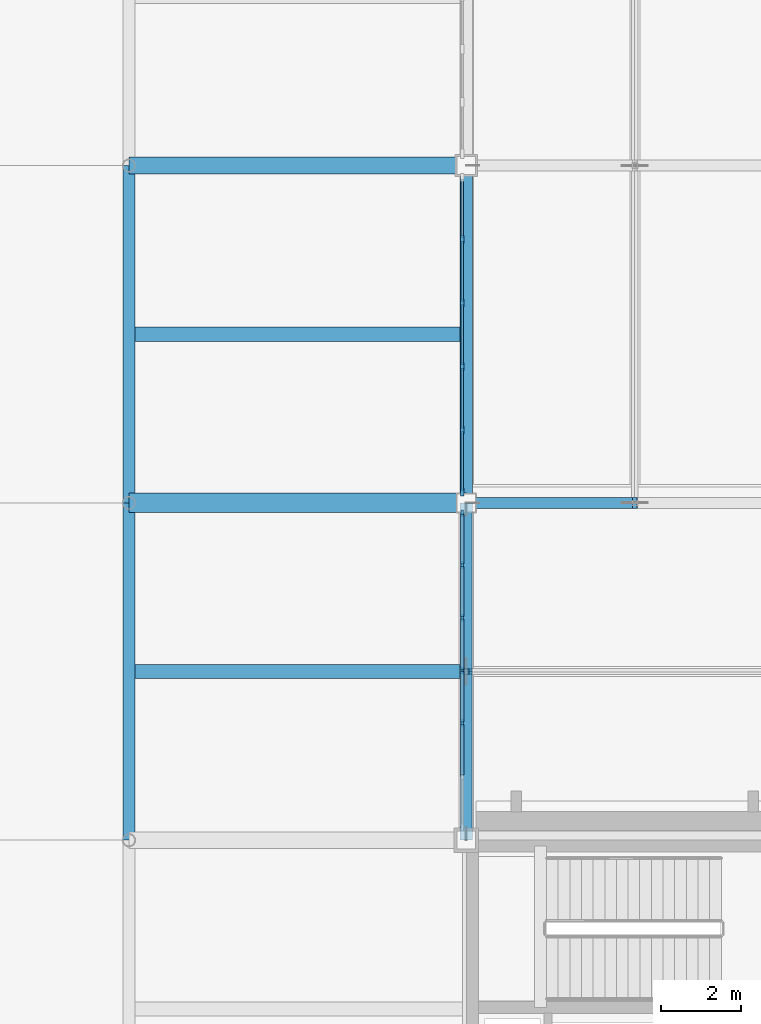
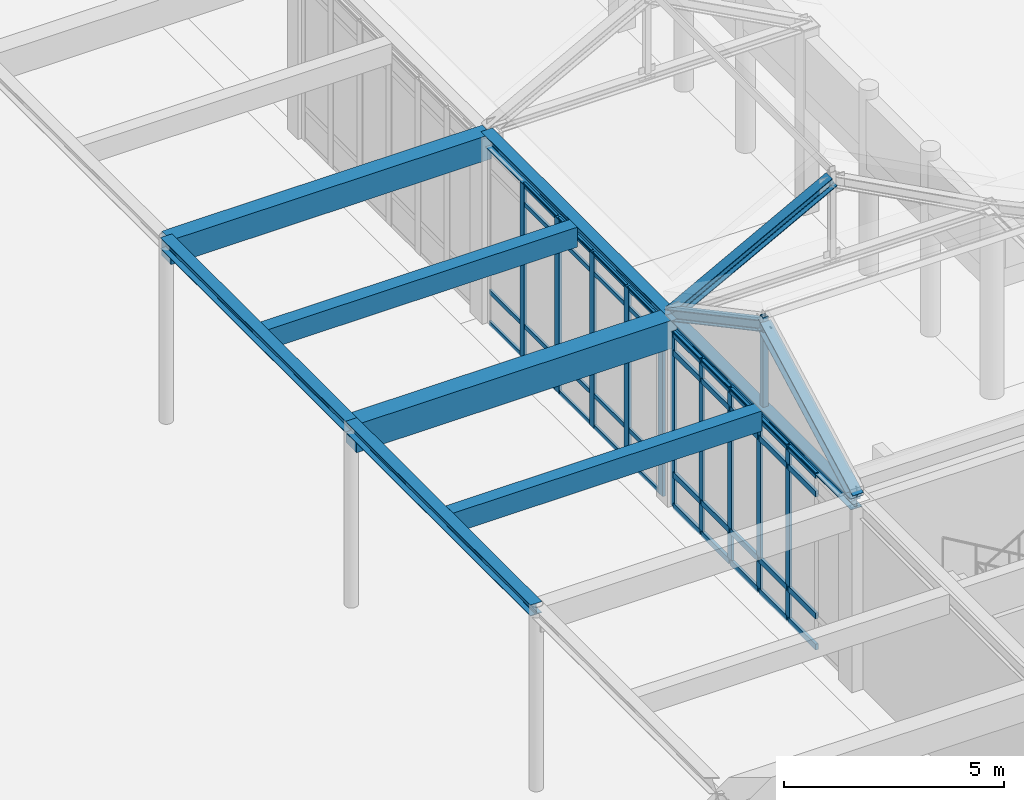
# One storey, part 38 of 143: 52 members, 8 beams, 2 elements without a shape of their own.
"""IFC4 building model written with IfcOpenShell, lengths in metres."""

from ifc_helpers import new_model, si_unit, direction, frame, origin, origin_2d, place, context, subcontext, project, spatial, rectangle, hollow_rectangle, i_section, extrude, material, layer, layer_set, material_profile, profile_set, type_object, element, aggregate, save


model = new_model("IFC4")

# Units and contexts
model_context = context("Model", 3, precision=1e-05, world=origin(), true_north=direction((0.0, 1.0)))
body_context = subcontext(model_context, "Body", "Model", "MODEL_VIEW")
ifc_project = project(units=[si_unit("LENGTHUNIT", "METRE"), si_unit("AREAUNIT", "SQUARE_METRE"), si_unit("VOLUMEUNIT", "CUBIC_METRE"), si_unit("PLANEANGLEUNIT", "RADIAN"), si_unit("MASSUNIT", "GRAM", prefix="KILO")], contexts=[model_context])

# Site, building, storey
site_placement = place(None, origin())
site = spatial("IfcSite", under=ifc_project, at=site_placement, CompositionType="ELEMENT")
building_placement = place(site_placement, origin())
building = spatial("IfcBuilding", under=site, at=building_placement, Name="Kveldsbrygga Polytechnic", CompositionType="ELEMENT")
storey_placement = place(building_placement, origin())
storey = spatial("IfcBuildingStorey", under=building, at=storey_placement, Name="L00", CompositionType="ELEMENT", Elevation=0.0)

# Beams
ifc_material_1 = material(Name="Concrete C35/45", Category="concrete")
ifc_material_profile_1 = material_profile(ifc_material_1, rectangle(XDim=0.419921875, YDim=0.679931640625, at=origin_2d()), Name="RC 420x680")
ifc_profile_set_1 = profile_set([ifc_material_profile_1], Name="Concrete C35/45")
beam_type_1 = type_object("IfcBeamType", Name="BM-RC-420x680", PredefinedType="BEAM", material=ifc_profile_set_1)
beam_1_placement = place(storey_placement, frame((67.199951171875, 42.0, 4.800048828125), z_axis=(1.0, 0.0, 0.0), x_axis=(0.0, 1.0, 0.0)))
element("IfcBeam", 1, at=beam_1_placement, inside=storey, type_object=beam_type_1, Name="Primary Beam BMX-L00-08to09-05", PredefinedType="BEAM", context=body_context, shape_type="SweptSolid", body=[
    extrude(rectangle(XDim=0.419921875, YDim=0.679931640625, at=origin_2d()), origin(), (0.0, 0.0, 1.0), 8.400146484375),
])
ifc_material_profile_2 = material_profile(ifc_material_1, rectangle(XDim=0.47998046875, YDim=0.780029296875, at=origin_2d()), Name="RC 480x780")
ifc_profile_set_2 = profile_set([ifc_material_profile_2], Name="Concrete C35/45")
beam_type_2 = type_object("IfcBeamType", Name="BM-RC-480x780", PredefinedType="BEAM", material=ifc_profile_set_2)
beam_2_placement = place(storey_placement, frame((67.199951171875, 33.60009765625, 4.75), z_axis=(1.0, 0.0, 0.0), x_axis=(0.0, 1.0, 0.0)))
element("IfcBeam", 2, at=beam_2_placement, inside=storey, type_object=beam_type_2, Name="Primary Beam BMX-L00-08to09-04", PredefinedType="BEAM", context=body_context, shape_type="SweptSolid", body=[
    extrude(rectangle(XDim=0.47998046875, YDim=0.780029296875, at=origin_2d()), origin(), (0.0, 0.0, 1.0), 8.400146484375),
])
ifc_material_2 = material(Name="Steel S355", Category="steel")
ifc_material_profile_3 = material_profile(ifc_material_2, i_section(OverallWidth=0.300048828125, OverallDepth=0.31005859375, WebThickness=0.009033203125, FlangeThickness=0.015380859375, FilletRadius=0.027099609375, at=origin_2d()), Name="HEA 320")
ifc_profile_set_3 = profile_set([ifc_material_profile_3], Name="Steel S355")
beam_type_3 = type_object("IfcBeamType", Name="BM-STL-HEA320", PredefinedType="BEAM", material=ifc_profile_set_3)
beam_3_placement = place(storey_placement, frame((67.199951171875, 25.199951171875, 4.985107421875), z_axis=(0.0, 1.0, 0.0), x_axis=(-1.0, 0.0, 0.0)))
element("IfcBeam", 3, at=beam_3_placement, inside=storey, type_object=beam_type_3, Name="Primary Beam BMY-L00-08-03to04", PredefinedType="BEAM", context=body_context, shape_type="SweptSolid", body=[
    extrude(i_section(OverallWidth=0.300048828125, OverallDepth=0.31005859375, WebThickness=0.009033203125, FlangeThickness=0.015380859375, FilletRadius=0.027099609375, at=origin_2d()), origin(), (0.0, 0.0, 1.0), 8.400146484375),
])
beam_4_placement = place(storey_placement, frame((67.199951171875, 33.60009765625, 4.985107421875), z_axis=(0.0, 1.0, 0.0), x_axis=(-1.0, 0.0, 0.0)))
element("IfcBeam", 4, at=beam_4_placement, inside=storey, type_object=beam_type_3, Name="Primary Beam BMY-L00-08-04to05", PredefinedType="BEAM", context=body_context, shape_type="SweptSolid", body=[
    extrude(i_section(OverallWidth=0.300048828125, OverallDepth=0.31005859375, WebThickness=0.009033203125, FlangeThickness=0.015380859375, FilletRadius=0.027099609375, at=origin_2d()), origin(), (0.0, 0.0, 1.0), 8.39990234375),
])
beam_5_placement = place(storey_placement, frame((75.60009765625, 25.199951171875, 4.985107421875), z_axis=(0.0, 1.0, 0.0), x_axis=(-1.0, 0.0, 0.0)))
element("IfcBeam", 5, at=beam_5_placement, inside=storey, type_object=beam_type_3, Name="Primary Beam BMY-L00-09-03to04", PredefinedType="BEAM", context=body_context, shape_type="SweptSolid", body=[
    extrude(i_section(OverallWidth=0.300048828125, OverallDepth=0.31005859375, WebThickness=0.009033203125, FlangeThickness=0.015380859375, FilletRadius=0.027099609375, at=origin_2d()), origin(), (0.0, 0.0, 1.0), 8.400146484375),
])
beam_6_placement = place(storey_placement, frame((75.60009765625, 33.60009765625, 4.985107421875), z_axis=(0.0, 1.0, 0.0), x_axis=(-1.0, 0.0, 0.0)))
element("IfcBeam", 6, at=beam_6_placement, inside=storey, type_object=beam_type_3, Name="Primary Beam BMY-L00-09-04to05", PredefinedType="BEAM", context=body_context, shape_type="SweptSolid", body=[
    extrude(i_section(OverallWidth=0.300048828125, OverallDepth=0.31005859375, WebThickness=0.009033203125, FlangeThickness=0.015380859375, FilletRadius=0.027099609375, at=origin_2d()), origin(), (0.0, 0.0, 1.0), 8.39990234375),
])

# Curtain wall, members
ifc_material_3 = material(Name="Anodised aluminium AW-6060", Category="aluminium")
ifc_layer_1 = layer(ifc_material_3, 0.169921875)
ifc_layer_set_1 = layer_set([ifc_layer_1], Name="Anodised aluminium AW-6060")
curtain_wall_type_1 = type_object("IfcCurtainWallType", Name="CW-FOYR-F", PredefinedType="USERDEFINED", material=ifc_layer_set_1)
curtain_wall_1_placement = place(storey_placement, origin())
curtain_wall_1 = element("IfcCurtainWall", 7, at=curtain_wall_1_placement, inside=storey, type_object=curtain_wall_type_1, Name="Curtain Wall CW-L00-Y-09-03", ObjectType="STICK CURTAIN WALL", PredefinedType="USERDEFINED")
ifc_material_profile_4 = material_profile(ifc_material_3, rectangle(XDim=0.06005859375, YDim=0.179931640625, at=origin_2d()), Name="ALU 60x180")
ifc_profile_set_4 = profile_set([ifc_material_profile_4], Name="Anodised aluminium AW-6060")
member_type_1 = type_object("IfcMemberType", Name="CW-MUL-180", PredefinedType="MULLION", material=ifc_profile_set_4)
member_1_placement = place(storey_placement, frame((75.5, 28.111572265625, 0.0), z_axis=(0.0, 0.0, 1.0), x_axis=(-1.0, 0.0, 0.0)))
member_1 = element("IfcMember", 8, at=member_1_placement, type_object=member_type_1, Name="CW-06 mullion 3", PredefinedType="MULLION", context=body_context, shape_type="SweptSolid", body=[
    extrude(rectangle(XDim=0.06005859375, YDim=0.179931640625, at=origin_2d()), origin(), (0.0, 0.0, 1.0), 4.830078125),
])
member_2_placement = place(storey_placement, frame((75.5, 29.425048828125, 0.0), z_axis=(0.0, 0.0, 1.0), x_axis=(-1.0, 0.0, 0.0)))
member_2 = element("IfcMember", 9, at=member_2_placement, type_object=member_type_1, Name="CW-06 mullion 4", PredefinedType="MULLION", context=body_context, shape_type="SweptSolid", body=[
    extrude(rectangle(XDim=0.06005859375, YDim=0.179931640625, at=origin_2d()), origin(), (0.0, 0.0, 1.0), 4.830078125),
])
member_3_placement = place(storey_placement, frame((75.5, 30.73828125, 0.0), z_axis=(0.0, 0.0, 1.0), x_axis=(-1.0, 0.0, 0.0)))
member_3 = element("IfcMember", 10, at=member_3_placement, type_object=member_type_1, Name="CW-06 mullion 5", PredefinedType="MULLION", context=body_context, shape_type="SweptSolid", body=[
    extrude(rectangle(XDim=0.06005859375, YDim=0.179931640625, at=origin_2d()), origin(), (0.0, 0.0, 1.0), 4.830078125),
])
member_4_placement = place(storey_placement, frame((75.5, 32.0517578125, 0.0), z_axis=(0.0, 0.0, 1.0), x_axis=(-1.0, 0.0, 0.0)))
member_4 = element("IfcMember", 11, at=member_4_placement, type_object=member_type_1, Name="CW-06 mullion 6", PredefinedType="MULLION", context=body_context, shape_type="SweptSolid", body=[
    extrude(rectangle(XDim=0.06005859375, YDim=0.179931640625, at=origin_2d()), origin(), (0.0, 0.0, 1.0), 4.830078125),
])
member_5_placement = place(storey_placement, frame((75.5, 33.3349609375, 0.0), z_axis=(0.0, 0.0, 1.0), x_axis=(-1.0, 0.0, 0.0)))
member_5 = element("IfcMember", 12, at=member_5_placement, type_object=member_type_1, Name="CW-06 mullion 7", PredefinedType="MULLION", context=body_context, shape_type="SweptSolid", body=[
    extrude(rectangle(XDim=0.06005859375, YDim=0.179931640625, at=origin_2d()), origin(), (0.0, 0.0, 1.0), 4.830078125),
])

ifc_layer_2 = layer(ifc_material_3, 0.18994140625)
ifc_layer_set_2 = layer_set([ifc_layer_2], Name="Anodised aluminium AW-6060")
curtain_wall_type_2 = type_object("IfcCurtainWallType", Name="CW-REFC-G", PredefinedType="USERDEFINED", material=ifc_layer_set_2)
curtain_wall_2_placement = place(storey_placement, origin())
curtain_wall_2 = element("IfcCurtainWall", 13, at=curtain_wall_2_placement, inside=storey, type_object=curtain_wall_type_2, Name="Curtain Wall CW-L00-Y-09-04", ObjectType="UNITISED CURTAIN WALL", PredefinedType="USERDEFINED")
ifc_material_profile_5 = material_profile(ifc_material_3, rectangle(XDim=0.074951171875, YDim=0.199951171875, at=origin_2d()), Name="ALU 75x200")
ifc_profile_set_5 = profile_set([ifc_material_profile_5], Name="Anodised aluminium AW-6060")
member_type_2 = type_object("IfcMemberType", Name="CW-MUL-200", PredefinedType="MULLION", material=ifc_profile_set_5)
member_6_placement = place(storey_placement, frame((75.5, 33.87255859375, 0.0), z_axis=(0.0, 0.0, 1.0), x_axis=(-1.0, 0.0, 0.0)))
member_6 = element("IfcMember", 14, at=member_6_placement, type_object=member_type_2, Name="CW-07 mullion 1", PredefinedType="MULLION", context=body_context, shape_type="SweptSolid", body=[
    extrude(rectangle(XDim=0.074951171875, YDim=0.199951171875, at=origin_2d()), origin(), (0.0, 0.0, 1.0), 4.830078125),
])
member_7_placement = place(storey_placement, frame((75.5, 35.416015625, 0.0), z_axis=(0.0, 0.0, 1.0), x_axis=(-1.0, 0.0, 0.0)))
member_7 = element("IfcMember", 15, at=member_7_placement, type_object=member_type_2, Name="CW-07 mullion 2", PredefinedType="MULLION", context=body_context, shape_type="SweptSolid", body=[
    extrude(rectangle(XDim=0.074951171875, YDim=0.199951171875, at=origin_2d()), origin(), (0.0, 0.0, 1.0), 4.830078125),
])
member_8_placement = place(storey_placement, frame((75.5, 36.9970703125, 0.0), z_axis=(0.0, 0.0, 1.0), x_axis=(-1.0, 0.0, 0.0)))
member_8 = element("IfcMember", 16, at=member_8_placement, type_object=member_type_2, Name="CW-07 mullion 3", PredefinedType="MULLION", context=body_context, shape_type="SweptSolid", body=[
    extrude(rectangle(XDim=0.074951171875, YDim=0.199951171875, at=origin_2d()), origin(), (0.0, 0.0, 1.0), 4.830078125),
])
member_9_placement = place(storey_placement, frame((75.5, 38.577880859375, 0.0), z_axis=(0.0, 0.0, 1.0), x_axis=(-1.0, 0.0, 0.0)))
member_9 = element("IfcMember", 17, at=member_9_placement, type_object=member_type_2, Name="CW-07 mullion 4", PredefinedType="MULLION", context=body_context, shape_type="SweptSolid", body=[
    extrude(rectangle(XDim=0.074951171875, YDim=0.199951171875, at=origin_2d()), origin(), (0.0, 0.0, 1.0), 4.830078125),
])
member_10_placement = place(storey_placement, frame((75.5, 40.158935546875, 0.0), z_axis=(0.0, 0.0, 1.0), x_axis=(-1.0, 0.0, 0.0)))
member_10 = element("IfcMember", 18, at=member_10_placement, type_object=member_type_2, Name="CW-07 mullion 5", PredefinedType="MULLION", context=body_context, shape_type="SweptSolid", body=[
    extrude(rectangle(XDim=0.074951171875, YDim=0.199951171875, at=origin_2d()), origin(), (0.0, 0.0, 1.0), 4.830078125),
])
ifc_material_profile_6 = material_profile(ifc_material_3, rectangle(XDim=0.06005859375, YDim=0.1201171875, at=origin_2d()), Name="ALU 60x120")
ifc_profile_set_6 = profile_set([ifc_material_profile_6], Name="Anodised aluminium AW-6060")
member_type_3 = type_object("IfcMemberType", Name="CW-TRN-120", PredefinedType="USERDEFINED", material=ifc_profile_set_6)
member_11_placement = place(storey_placement, frame((75.5, 33.909912109375, 0.030029296875), z_axis=(0.0, 1.0, 0.0), x_axis=(-1.0, 0.0, 0.0)))
member_11 = element("IfcMember", 19, at=member_11_placement, type_object=member_type_3, Name="CW-07 transom 1.1", ObjectType="TRANSOM", PredefinedType="USERDEFINED", context=body_context, shape_type="SweptSolid", body=[
    extrude(rectangle(XDim=0.06005859375, YDim=0.1201171875, at=origin_2d()), origin(), (0.0, 0.0, 1.0), 1.468505859375),
])
member_12_placement = place(storey_placement, frame((75.5, 33.909912109375, 0.89990234375), z_axis=(0.0, 1.0, 0.0), x_axis=(-1.0, 0.0, 0.0)))
member_12 = element("IfcMember", 20, at=member_12_placement, type_object=member_type_3, Name="CW-07 transom 1.2", ObjectType="TRANSOM", PredefinedType="USERDEFINED", context=body_context, shape_type="SweptSolid", body=[
    extrude(rectangle(XDim=0.06005859375, YDim=0.1201171875, at=origin_2d()), origin(), (0.0, 0.0, 1.0), 1.468505859375),
])
member_13_placement = place(storey_placement, frame((75.5, 33.909912109375, 4.280029296875), z_axis=(0.0, 1.0, 0.0), x_axis=(-1.0, 0.0, 0.0)))
member_13 = element("IfcMember", 21, at=member_13_placement, type_object=member_type_3, Name="CW-07 transom 1.3", ObjectType="TRANSOM", PredefinedType="USERDEFINED", context=body_context, shape_type="SweptSolid", body=[
    extrude(rectangle(XDim=0.06005859375, YDim=0.1201171875, at=origin_2d()), origin(), (0.0, 0.0, 1.0), 1.468505859375),
])
member_14_placement = place(storey_placement, frame((75.5, 33.909912109375, 4.800048828125), z_axis=(0.0, 1.0, 0.0), x_axis=(-1.0, 0.0, 0.0)))
member_14 = element("IfcMember", 22, at=member_14_placement, type_object=member_type_3, Name="CW-07 transom 1.4", ObjectType="TRANSOM", PredefinedType="USERDEFINED", context=body_context, shape_type="SweptSolid", body=[
    extrude(rectangle(XDim=0.06005859375, YDim=0.1201171875, at=origin_2d()), origin(), (0.0, 0.0, 1.0), 1.468505859375),
])
member_15_placement = place(storey_placement, frame((75.5, 35.45361328125, 0.030029296875), z_axis=(0.0, 1.0, 0.0), x_axis=(-1.0, 0.0, 0.0)))
member_15 = element("IfcMember", 23, at=member_15_placement, type_object=member_type_3, Name="CW-07 transom 2.1", ObjectType="TRANSOM", PredefinedType="USERDEFINED", context=body_context, shape_type="SweptSolid", body=[
    extrude(rectangle(XDim=0.06005859375, YDim=0.1201171875, at=origin_2d()), origin(), (0.0, 0.0, 1.0), 1.505859375),
])
member_16_placement = place(storey_placement, frame((75.5, 35.45361328125, 0.89990234375), z_axis=(0.0, 1.0, 0.0), x_axis=(-1.0, 0.0, 0.0)))
member_16 = element("IfcMember", 24, at=member_16_placement, type_object=member_type_3, Name="CW-07 transom 2.2", ObjectType="TRANSOM", PredefinedType="USERDEFINED", context=body_context, shape_type="SweptSolid", body=[
    extrude(rectangle(XDim=0.06005859375, YDim=0.1201171875, at=origin_2d()), origin(), (0.0, 0.0, 1.0), 1.505859375),
])
member_17_placement = place(storey_placement, frame((75.5, 35.45361328125, 4.280029296875), z_axis=(0.0, 1.0, 0.0), x_axis=(-1.0, 0.0, 0.0)))
member_17 = element("IfcMember", 25, at=member_17_placement, type_object=member_type_3, Name="CW-07 transom 2.3", ObjectType="TRANSOM", PredefinedType="USERDEFINED", context=body_context, shape_type="SweptSolid", body=[
    extrude(rectangle(XDim=0.06005859375, YDim=0.1201171875, at=origin_2d()), origin(), (0.0, 0.0, 1.0), 1.505859375),
])
member_18_placement = place(storey_placement, frame((75.5, 35.45361328125, 4.800048828125), z_axis=(0.0, 1.0, 0.0), x_axis=(-1.0, 0.0, 0.0)))
member_18 = element("IfcMember", 26, at=member_18_placement, type_object=member_type_3, Name="CW-07 transom 2.4", ObjectType="TRANSOM", PredefinedType="USERDEFINED", context=body_context, shape_type="SweptSolid", body=[
    extrude(rectangle(XDim=0.06005859375, YDim=0.1201171875, at=origin_2d()), origin(), (0.0, 0.0, 1.0), 1.505859375),
])
member_19_placement = place(storey_placement, frame((75.5, 37.034423828125, 0.030029296875), z_axis=(0.0, 1.0, 0.0), x_axis=(-1.0, 0.0, 0.0)))
member_19 = element("IfcMember", 27, at=member_19_placement, type_object=member_type_3, Name="CW-07 transom 3.1", ObjectType="TRANSOM", PredefinedType="USERDEFINED", context=body_context, shape_type="SweptSolid", body=[
    extrude(rectangle(XDim=0.06005859375, YDim=0.1201171875, at=origin_2d()), origin(), (0.0, 0.0, 1.0), 1.506103515625),
])
member_20_placement = place(storey_placement, frame((75.5, 37.034423828125, 0.89990234375), z_axis=(0.0, 1.0, 0.0), x_axis=(-1.0, 0.0, 0.0)))
member_20 = element("IfcMember", 28, at=member_20_placement, type_object=member_type_3, Name="CW-07 transom 3.2", ObjectType="TRANSOM", PredefinedType="USERDEFINED", context=body_context, shape_type="SweptSolid", body=[
    extrude(rectangle(XDim=0.06005859375, YDim=0.1201171875, at=origin_2d()), origin(), (0.0, 0.0, 1.0), 1.506103515625),
])
member_21_placement = place(storey_placement, frame((75.5, 37.034423828125, 4.280029296875), z_axis=(0.0, 1.0, 0.0), x_axis=(-1.0, 0.0, 0.0)))
member_21 = element("IfcMember", 29, at=member_21_placement, type_object=member_type_3, Name="CW-07 transom 3.3", ObjectType="TRANSOM", PredefinedType="USERDEFINED", context=body_context, shape_type="SweptSolid", body=[
    extrude(rectangle(XDim=0.06005859375, YDim=0.1201171875, at=origin_2d()), origin(), (0.0, 0.0, 1.0), 1.506103515625),
])
member_22_placement = place(storey_placement, frame((75.5, 37.034423828125, 4.800048828125), z_axis=(0.0, 1.0, 0.0), x_axis=(-1.0, 0.0, 0.0)))
member_22 = element("IfcMember", 30, at=member_22_placement, type_object=member_type_3, Name="CW-07 transom 3.4", ObjectType="TRANSOM", PredefinedType="USERDEFINED", context=body_context, shape_type="SweptSolid", body=[
    extrude(rectangle(XDim=0.06005859375, YDim=0.1201171875, at=origin_2d()), origin(), (0.0, 0.0, 1.0), 1.506103515625),
])
member_23_placement = place(storey_placement, frame((75.5, 38.615478515625, 0.030029296875), z_axis=(0.0, 1.0, 0.0), x_axis=(-1.0, 0.0, 0.0)))
member_23 = element("IfcMember", 31, at=member_23_placement, type_object=member_type_3, Name="CW-07 transom 4.1", ObjectType="TRANSOM", PredefinedType="USERDEFINED", context=body_context, shape_type="SweptSolid", body=[
    extrude(rectangle(XDim=0.06005859375, YDim=0.1201171875, at=origin_2d()), origin(), (0.0, 0.0, 1.0), 1.506103515625),
])
member_24_placement = place(storey_placement, frame((75.5, 38.615478515625, 0.89990234375), z_axis=(0.0, 1.0, 0.0), x_axis=(-1.0, 0.0, 0.0)))
member_24 = element("IfcMember", 32, at=member_24_placement, type_object=member_type_3, Name="CW-07 transom 4.2", ObjectType="TRANSOM", PredefinedType="USERDEFINED", context=body_context, shape_type="SweptSolid", body=[
    extrude(rectangle(XDim=0.06005859375, YDim=0.1201171875, at=origin_2d()), origin(), (0.0, 0.0, 1.0), 1.506103515625),
])
member_25_placement = place(storey_placement, frame((75.5, 38.615478515625, 4.280029296875), z_axis=(0.0, 1.0, 0.0), x_axis=(-1.0, 0.0, 0.0)))
member_25 = element("IfcMember", 33, at=member_25_placement, type_object=member_type_3, Name="CW-07 transom 4.3", ObjectType="TRANSOM", PredefinedType="USERDEFINED", context=body_context, shape_type="SweptSolid", body=[
    extrude(rectangle(XDim=0.06005859375, YDim=0.1201171875, at=origin_2d()), origin(), (0.0, 0.0, 1.0), 1.506103515625),
])
member_26_placement = place(storey_placement, frame((75.5, 38.615478515625, 4.800048828125), z_axis=(0.0, 1.0, 0.0), x_axis=(-1.0, 0.0, 0.0)))
member_26 = element("IfcMember", 34, at=member_26_placement, type_object=member_type_3, Name="CW-07 transom 4.4", ObjectType="TRANSOM", PredefinedType="USERDEFINED", context=body_context, shape_type="SweptSolid", body=[
    extrude(rectangle(XDim=0.06005859375, YDim=0.1201171875, at=origin_2d()), origin(), (0.0, 0.0, 1.0), 1.506103515625),
])
member_27_placement = place(storey_placement, frame((75.5, 40.196533203125, 0.030029296875), z_axis=(0.0, 1.0, 0.0), x_axis=(-1.0, 0.0, 0.0)))
member_27 = element("IfcMember", 35, at=member_27_placement, type_object=member_type_3, Name="CW-07 transom 5.1", ObjectType="TRANSOM", PredefinedType="USERDEFINED", context=body_context, shape_type="SweptSolid", body=[
    extrude(rectangle(XDim=0.06005859375, YDim=0.1201171875, at=origin_2d()), origin(), (0.0, 0.0, 1.0), 1.468505859375),
])
member_28_placement = place(storey_placement, frame((75.5, 40.196533203125, 0.89990234375), z_axis=(0.0, 1.0, 0.0), x_axis=(-1.0, 0.0, 0.0)))
member_28 = element("IfcMember", 36, at=member_28_placement, type_object=member_type_3, Name="CW-07 transom 5.2", ObjectType="TRANSOM", PredefinedType="USERDEFINED", context=body_context, shape_type="SweptSolid", body=[
    extrude(rectangle(XDim=0.06005859375, YDim=0.1201171875, at=origin_2d()), origin(), (0.0, 0.0, 1.0), 1.468505859375),
])
aggregate(curtain_wall_2, [member_6, member_7, member_8, member_9, member_10, member_11, member_12, member_13, member_14, member_15, member_16, member_17, member_18, member_19, member_20, member_21, member_22, member_23, member_24, member_25, member_26, member_27, member_28])

# Member
ifc_material_profile_7 = material_profile(ifc_material_3, rectangle(XDim=0.074951171875, YDim=0.159912109375, at=origin_2d()), Name="ALU 75x160")
ifc_profile_set_7 = profile_set([ifc_material_profile_7], Name="Anodised aluminium AW-6060")
member_type_4 = type_object("IfcMemberType", Name="CW-TRN-160", PredefinedType="USERDEFINED", material=ifc_profile_set_7)
member_29_placement = place(storey_placement, frame((75.5, 26.828369140625, 0.03759765625), z_axis=(0.0, 1.0, 0.0), x_axis=(-1.0, 0.0, 0.0)))
member_29 = element("IfcMember", 37, at=member_29_placement, type_object=member_type_4, Name="CW-06 transom 2.1", ObjectType="TRANSOM", PredefinedType="USERDEFINED", context=body_context, shape_type="SweptSolid", body=[
    extrude(rectangle(XDim=0.074951171875, YDim=0.159912109375, at=origin_2d()), origin(), (0.0, 0.0, 1.0), 1.25341796875),
])

member_30_placement = place(storey_placement, frame((75.5, 26.828369140625, 0.89990234375), z_axis=(0.0, 1.0, 0.0), x_axis=(-1.0, 0.0, 0.0)))
member_30 = element("IfcMember", 38, at=member_30_placement, type_object=member_type_4, Name="CW-06 transom 2.2", ObjectType="TRANSOM", PredefinedType="USERDEFINED", context=body_context, shape_type="SweptSolid", body=[
    extrude(rectangle(XDim=0.074951171875, YDim=0.159912109375, at=origin_2d()), origin(), (0.0, 0.0, 1.0), 1.25341796875),
])

member_31_placement = place(storey_placement, frame((75.5, 26.828369140625, 4.280029296875), z_axis=(0.0, 1.0, 0.0), x_axis=(-1.0, 0.0, 0.0)))
member_31 = element("IfcMember", 39, at=member_31_placement, type_object=member_type_4, Name="CW-06 transom 2.3", ObjectType="TRANSOM", PredefinedType="USERDEFINED", context=body_context, shape_type="SweptSolid", body=[
    extrude(rectangle(XDim=0.074951171875, YDim=0.159912109375, at=origin_2d()), origin(), (0.0, 0.0, 1.0), 1.25341796875),
])

member_32_placement = place(storey_placement, frame((75.5, 26.828369140625, 4.79248046875), z_axis=(0.0, 1.0, 0.0), x_axis=(-1.0, 0.0, 0.0)))
member_32 = element("IfcMember", 40, at=member_32_placement, type_object=member_type_4, Name="CW-06 transom 2.4", ObjectType="TRANSOM", PredefinedType="USERDEFINED", context=body_context, shape_type="SweptSolid", body=[
    extrude(rectangle(XDim=0.074951171875, YDim=0.159912109375, at=origin_2d()), origin(), (0.0, 0.0, 1.0), 1.25341796875),
])

member_33_placement = place(storey_placement, frame((75.5, 28.1416015625, 0.03759765625), z_axis=(0.0, 1.0, 0.0), x_axis=(-1.0, 0.0, 0.0)))
member_33 = element("IfcMember", 41, at=member_33_placement, type_object=member_type_4, Name="CW-06 transom 3.1", ObjectType="TRANSOM", PredefinedType="USERDEFINED", context=body_context, shape_type="SweptSolid", body=[
    extrude(rectangle(XDim=0.074951171875, YDim=0.159912109375, at=origin_2d()), origin(), (0.0, 0.0, 1.0), 1.25341796875),
])

member_34_placement = place(storey_placement, frame((75.5, 28.1416015625, 0.89990234375), z_axis=(0.0, 1.0, 0.0), x_axis=(-1.0, 0.0, 0.0)))
member_34 = element("IfcMember", 42, at=member_34_placement, type_object=member_type_4, Name="CW-06 transom 3.2", ObjectType="TRANSOM", PredefinedType="USERDEFINED", context=body_context, shape_type="SweptSolid", body=[
    extrude(rectangle(XDim=0.074951171875, YDim=0.159912109375, at=origin_2d()), origin(), (0.0, 0.0, 1.0), 1.25341796875),
])

member_35_placement = place(storey_placement, frame((75.5, 28.1416015625, 4.280029296875), z_axis=(0.0, 1.0, 0.0), x_axis=(-1.0, 0.0, 0.0)))
member_35 = element("IfcMember", 43, at=member_35_placement, type_object=member_type_4, Name="CW-06 transom 3.3", ObjectType="TRANSOM", PredefinedType="USERDEFINED", context=body_context, shape_type="SweptSolid", body=[
    extrude(rectangle(XDim=0.074951171875, YDim=0.159912109375, at=origin_2d()), origin(), (0.0, 0.0, 1.0), 1.25341796875),
])

member_36_placement = place(storey_placement, frame((75.5, 28.1416015625, 4.79248046875), z_axis=(0.0, 1.0, 0.0), x_axis=(-1.0, 0.0, 0.0)))
member_36 = element("IfcMember", 44, at=member_36_placement, type_object=member_type_4, Name="CW-06 transom 3.4", ObjectType="TRANSOM", PredefinedType="USERDEFINED", context=body_context, shape_type="SweptSolid", body=[
    extrude(rectangle(XDim=0.074951171875, YDim=0.159912109375, at=origin_2d()), origin(), (0.0, 0.0, 1.0), 1.25341796875),
])

member_37_placement = place(storey_placement, frame((75.5, 29.455078125, 0.03759765625), z_axis=(0.0, 1.0, 0.0), x_axis=(-1.0, 0.0, 0.0)))
member_37 = element("IfcMember", 45, at=member_37_placement, type_object=member_type_4, Name="CW-06 transom 4.1", ObjectType="TRANSOM", PredefinedType="USERDEFINED", context=body_context, shape_type="SweptSolid", body=[
    extrude(rectangle(XDim=0.074951171875, YDim=0.159912109375, at=origin_2d()), origin(), (0.0, 0.0, 1.0), 1.253173828125),
])

member_38_placement = place(storey_placement, frame((75.5, 29.455078125, 0.89990234375), z_axis=(0.0, 1.0, 0.0), x_axis=(-1.0, 0.0, 0.0)))
member_38 = element("IfcMember", 46, at=member_38_placement, type_object=member_type_4, Name="CW-06 transom 4.2", ObjectType="TRANSOM", PredefinedType="USERDEFINED", context=body_context, shape_type="SweptSolid", body=[
    extrude(rectangle(XDim=0.074951171875, YDim=0.159912109375, at=origin_2d()), origin(), (0.0, 0.0, 1.0), 1.253173828125),
])

member_39_placement = place(storey_placement, frame((75.5, 29.455078125, 4.280029296875), z_axis=(0.0, 1.0, 0.0), x_axis=(-1.0, 0.0, 0.0)))
member_39 = element("IfcMember", 47, at=member_39_placement, type_object=member_type_4, Name="CW-06 transom 4.3", ObjectType="TRANSOM", PredefinedType="USERDEFINED", context=body_context, shape_type="SweptSolid", body=[
    extrude(rectangle(XDim=0.074951171875, YDim=0.159912109375, at=origin_2d()), origin(), (0.0, 0.0, 1.0), 1.253173828125),
])

member_40_placement = place(storey_placement, frame((75.5, 29.455078125, 4.79248046875), z_axis=(0.0, 1.0, 0.0), x_axis=(-1.0, 0.0, 0.0)))
member_40 = element("IfcMember", 48, at=member_40_placement, type_object=member_type_4, Name="CW-06 transom 4.4", ObjectType="TRANSOM", PredefinedType="USERDEFINED", context=body_context, shape_type="SweptSolid", body=[
    extrude(rectangle(XDim=0.074951171875, YDim=0.159912109375, at=origin_2d()), origin(), (0.0, 0.0, 1.0), 1.253173828125),
])

member_41_placement = place(storey_placement, frame((75.5, 30.768310546875, 0.03759765625), z_axis=(0.0, 1.0, 0.0), x_axis=(-1.0, 0.0, 0.0)))
member_41 = element("IfcMember", 49, at=member_41_placement, type_object=member_type_4, Name="CW-06 transom 5.1", ObjectType="TRANSOM", PredefinedType="USERDEFINED", context=body_context, shape_type="SweptSolid", body=[
    extrude(rectangle(XDim=0.074951171875, YDim=0.159912109375, at=origin_2d()), origin(), (0.0, 0.0, 1.0), 1.25341796875),
])

member_42_placement = place(storey_placement, frame((75.5, 30.768310546875, 0.89990234375), z_axis=(0.0, 1.0, 0.0), x_axis=(-1.0, 0.0, 0.0)))
member_42 = element("IfcMember", 50, at=member_42_placement, type_object=member_type_4, Name="CW-06 transom 5.2", ObjectType="TRANSOM", PredefinedType="USERDEFINED", context=body_context, shape_type="SweptSolid", body=[
    extrude(rectangle(XDim=0.074951171875, YDim=0.159912109375, at=origin_2d()), origin(), (0.0, 0.0, 1.0), 1.25341796875),
])

member_43_placement = place(storey_placement, frame((75.5, 30.768310546875, 4.280029296875), z_axis=(0.0, 1.0, 0.0), x_axis=(-1.0, 0.0, 0.0)))
member_43 = element("IfcMember", 51, at=member_43_placement, type_object=member_type_4, Name="CW-06 transom 5.3", ObjectType="TRANSOM", PredefinedType="USERDEFINED", context=body_context, shape_type="SweptSolid", body=[
    extrude(rectangle(XDim=0.074951171875, YDim=0.159912109375, at=origin_2d()), origin(), (0.0, 0.0, 1.0), 1.25341796875),
])

member_44_placement = place(storey_placement, frame((75.5, 30.768310546875, 4.79248046875), z_axis=(0.0, 1.0, 0.0), x_axis=(-1.0, 0.0, 0.0)))
member_44 = element("IfcMember", 52, at=member_44_placement, type_object=member_type_4, Name="CW-06 transom 5.4", ObjectType="TRANSOM", PredefinedType="USERDEFINED", context=body_context, shape_type="SweptSolid", body=[
    extrude(rectangle(XDim=0.074951171875, YDim=0.159912109375, at=origin_2d()), origin(), (0.0, 0.0, 1.0), 1.25341796875),
])

member_45_placement = place(storey_placement, frame((75.5, 32.081787109375, 0.03759765625), z_axis=(0.0, 1.0, 0.0), x_axis=(-1.0, 0.0, 0.0)))
member_45 = element("IfcMember", 53, at=member_45_placement, type_object=member_type_4, Name="CW-06 transom 6.1", ObjectType="TRANSOM", PredefinedType="USERDEFINED", context=body_context, shape_type="SweptSolid", body=[
    extrude(rectangle(XDim=0.074951171875, YDim=0.159912109375, at=origin_2d()), origin(), (0.0, 0.0, 1.0), 1.22314453125),
])

member_46_placement = place(storey_placement, frame((75.5, 32.081787109375, 0.89990234375), z_axis=(0.0, 1.0, 0.0), x_axis=(-1.0, 0.0, 0.0)))
member_46 = element("IfcMember", 54, at=member_46_placement, type_object=member_type_4, Name="CW-06 transom 6.2", ObjectType="TRANSOM", PredefinedType="USERDEFINED", context=body_context, shape_type="SweptSolid", body=[
    extrude(rectangle(XDim=0.074951171875, YDim=0.159912109375, at=origin_2d()), origin(), (0.0, 0.0, 1.0), 1.22314453125),
])

member_47_placement = place(storey_placement, frame((75.5, 32.081787109375, 4.280029296875), z_axis=(0.0, 1.0, 0.0), x_axis=(-1.0, 0.0, 0.0)))
member_47 = element("IfcMember", 55, at=member_47_placement, type_object=member_type_4, Name="CW-06 transom 6.3", ObjectType="TRANSOM", PredefinedType="USERDEFINED", context=body_context, shape_type="SweptSolid", body=[
    extrude(rectangle(XDim=0.074951171875, YDim=0.159912109375, at=origin_2d()), origin(), (0.0, 0.0, 1.0), 1.22314453125),
])

member_48_placement = place(storey_placement, frame((75.5, 32.081787109375, 4.79248046875), z_axis=(0.0, 1.0, 0.0), x_axis=(-1.0, 0.0, 0.0)))
member_48 = element("IfcMember", 56, at=member_48_placement, type_object=member_type_4, Name="CW-06 transom 6.4", ObjectType="TRANSOM", PredefinedType="USERDEFINED", context=body_context, shape_type="SweptSolid", body=[
    extrude(rectangle(XDim=0.074951171875, YDim=0.159912109375, at=origin_2d()), origin(), (0.0, 0.0, 1.0), 1.22314453125),
])

aggregate(curtain_wall_1, [member_1, member_2, member_3, member_4, member_5, member_29, member_30, member_31, member_32, member_33, member_34, member_35, member_36, member_37, member_38, member_39, member_40, member_41, member_42, member_43, member_44, member_45, member_46, member_47, member_48])

# Beams
ifc_material_profile_8 = material_profile(ifc_material_1, rectangle(XDim=0.340087890625, YDim=0.56005859375, at=origin_2d()), Name="RC 340x560")
ifc_profile_set_8 = profile_set([ifc_material_profile_8], Name="Concrete C35/45")
beam_type_4 = type_object("IfcBeamType", Name="JST-RC-340x560", PredefinedType="JOIST", material=ifc_profile_set_8)
beam_7_placement = place(storey_placement, frame((67.35009765625, 29.39990234375, 4.860107421875), z_axis=(1.0, 0.0, 0.0), x_axis=(0.0, 1.0, 0.0)))
element("IfcBeam", 57, at=beam_7_placement, inside=storey, type_object=beam_type_4, Name="Secondary Joist JST-L00-08-03", PredefinedType="JOIST", context=body_context, shape_type="SweptSolid", body=[
    extrude(rectangle(XDim=0.340087890625, YDim=0.56005859375, at=origin_2d()), origin(), (0.0, 0.0, 1.0), 8.099853515625),
])
ifc_material_profile_9 = material_profile(ifc_material_1, rectangle(XDim=0.35009765625, YDim=0.550048828125, at=origin_2d()), Name="RC 350x550")
ifc_profile_set_9 = profile_set([ifc_material_profile_9], Name="Concrete C35/45")
beam_type_5 = type_object("IfcBeamType", Name="JST-RC-350x550", PredefinedType="JOIST", material=ifc_profile_set_9)
beam_8_placement = place(storey_placement, frame((67.35009765625, 37.800048828125, 4.864990234375), z_axis=(1.0, 0.0, 0.0), x_axis=(0.0, 1.0, 0.0)))
element("IfcBeam", 58, at=beam_8_placement, inside=storey, type_object=beam_type_5, Name="Secondary Joist JST-L00-08-04", PredefinedType="JOIST", context=body_context, shape_type="SweptSolid", body=[
    extrude(rectangle(XDim=0.35009765625, YDim=0.550048828125, at=origin_2d()), origin(), (0.0, 0.0, 1.0), 8.099853515625),
])

# Members
ifc_material_profile_10 = material_profile(ifc_material_2, hollow_rectangle(XDim=0.139892578125, YDim=0.139892578125, WallThickness=0.008056640625, at=origin_2d()), Name="SHS 140x140x8.0")
ifc_profile_set_10 = profile_set([ifc_material_profile_10], Name="Steel S355")
member_type_5 = type_object("IfcMemberType", Name="TR-POST-SHS140", PredefinedType="STRUT", material=ifc_profile_set_10)
member_49_placement = place(storey_placement, frame((75.60009765625, 29.39990234375, 5.139892578125), z_axis=(0.0, 0.0, 1.0), x_axis=(1.0, 0.0, 0.0)))
element("IfcMember", 59, at=member_49_placement, inside=storey, type_object=member_type_5, Name="Truss Vertical ARC-ES-T01-VT-1", PredefinedType="STRUT", context=body_context, shape_type="SweptSolid", body=[
    extrude(hollow_rectangle(XDim=0.139892578125, YDim=0.139892578125, WallThickness=0.008056640625, at=origin_2d()), origin(), (0.0, 0.0, 1.0), 2.493896484375),
])
ifc_material_profile_11 = material_profile(ifc_material_2, i_section(OverallWidth=0.280029296875, OverallDepth=0.280029296875, WebThickness=0.010498046875, FlangeThickness=0.01806640625, FilletRadius=0.02392578125, at=origin_2d()), Name="HEB 280")
ifc_profile_set_11 = profile_set([ifc_material_profile_11], Name="Steel S355")
member_type_6 = type_object("IfcMemberType", Name="TR-TOP-HEB280", PredefinedType="CHORD", material=ifc_profile_set_11)
member_50_placement = place(storey_placement, frame((75.60009765625, 25.199951171875, 5.139892578125), z_axis=(0.0, 0.881477684796, 0.472225678258), x_axis=(-1.0, 0.0, 0.0)))
element("IfcMember", 60, at=member_50_placement, inside=storey, type_object=member_type_6, Name="Truss Top Chord ARC-ES-T01-TC-1", PredefinedType="CHORD", context=body_context, shape_type="SweptSolid", body=[
    extrude(i_section(OverallWidth=0.280029296875, OverallDepth=0.280029296875, WebThickness=0.010498046875, FlangeThickness=0.01806640625, FilletRadius=0.02392578125, at=origin_2d()), origin(), (0.0, 0.0, 1.0), 4.7646484375),
])
member_51_placement = place(storey_placement, frame((75.60009765625, 29.39990234375, 7.389892578125), z_axis=(0.0, 0.881489110341, -0.472204350203), x_axis=(-1.0, 0.0, 0.0)))
element("IfcMember", 61, at=member_51_placement, inside=storey, type_object=member_type_6, Name="Truss Top Chord ARC-ES-T01-TC-2", PredefinedType="CHORD", context=body_context, shape_type="SweptSolid", body=[
    extrude(i_section(OverallWidth=0.280029296875, OverallDepth=0.280029296875, WebThickness=0.010498046875, FlangeThickness=0.01806640625, FilletRadius=0.02392578125, at=origin_2d()), origin(), (0.0, 0.0, 1.0), 4.764892578125),
])
member_52_placement = place(storey_placement, frame((75.60009765625, 33.60009765625, 5.139892578125), z_axis=(0.881477684796, 0.0, 0.472225678258), x_axis=(0.0, 1.0, 0.0)))
element("IfcMember", 62, at=member_52_placement, inside=storey, type_object=member_type_6, Name="Truss Top Chord ARC-EW-T01-TC-1", PredefinedType="CHORD", context=body_context, shape_type="SweptSolid", body=[
    extrude(i_section(OverallWidth=0.280029296875, OverallDepth=0.280029296875, WebThickness=0.010498046875, FlangeThickness=0.01806640625, FilletRadius=0.02392578125, at=origin_2d()), origin(), (0.0, 0.0, 1.0), 4.7646484375),
])

save(model, "model.ifc")
